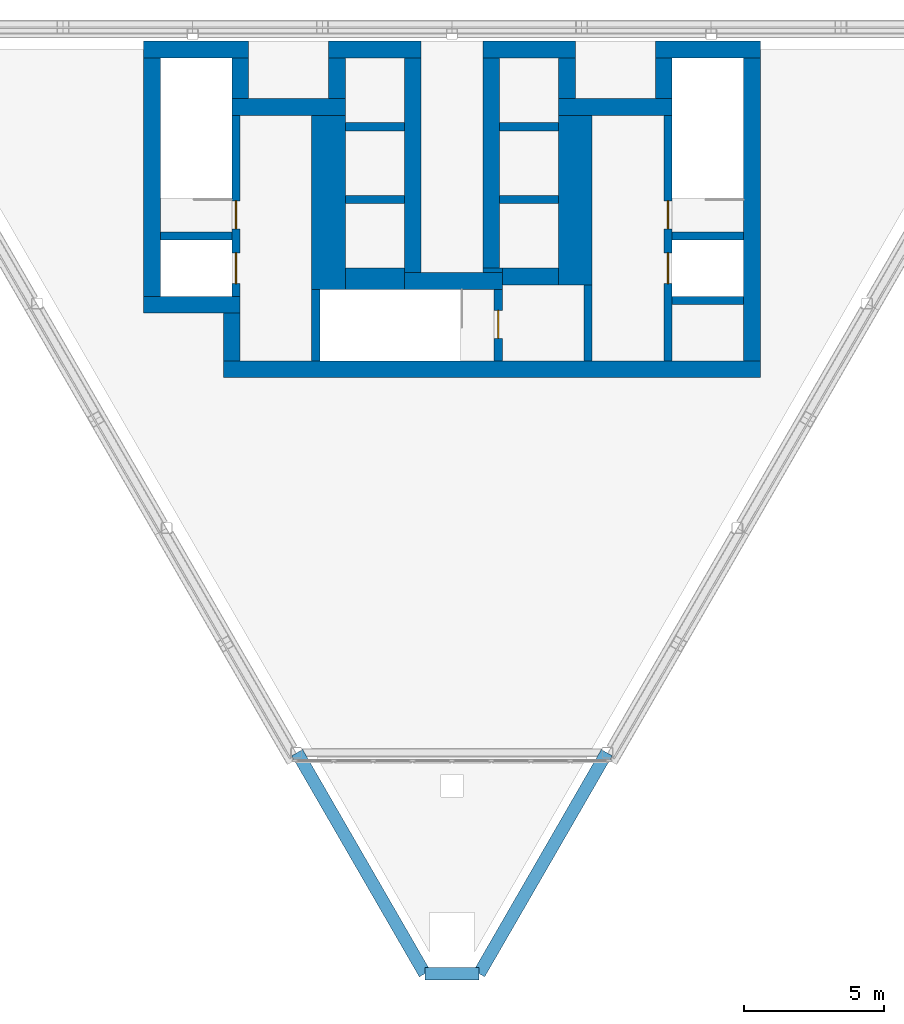
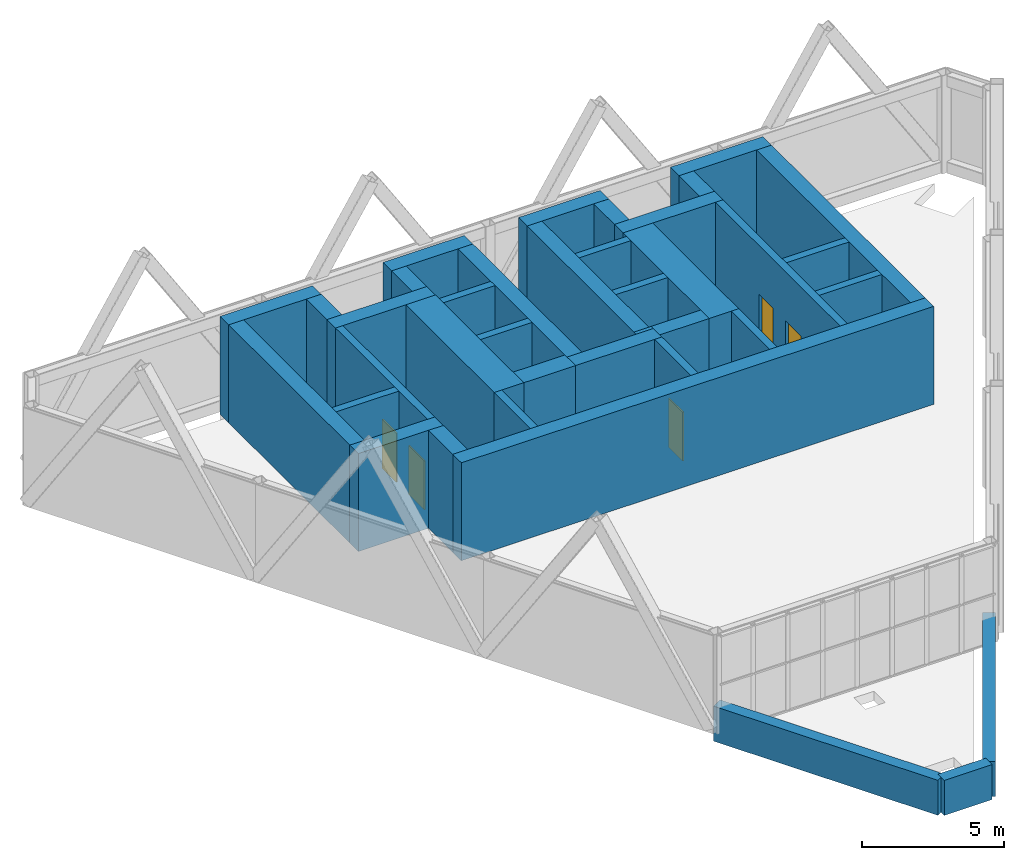
# One storey, part 4 of 5: 38 walls, 5 doors, 5 openings.
"""IFC4 building model written with IfcOpenShell, lengths in metres."""

from ifc_helpers import new_model, si_unit, direction, frame, frame_2d, origin, place, context, subcontext, project, spatial, rectangle, extrude, material, layer, layer_set, type_object, element, fill, save


model = new_model("IFC4")

# Units and contexts
model_context = context("Model", 3, precision=1e-05, world=origin(), true_north=direction((0.0, 1.0)))
body_context = subcontext(model_context, "Body", "Model", "MODEL_VIEW")
ifc_project = project(units=[si_unit("LENGTHUNIT", "METRE"), si_unit("AREAUNIT", "SQUARE_METRE"), si_unit("VOLUMEUNIT", "CUBIC_METRE"), si_unit("PLANEANGLEUNIT", "RADIAN"), si_unit("MASSUNIT", "GRAM", prefix="KILO")], contexts=[model_context])

# Site, building, storey
site_placement = place(None, origin())
site = spatial("IfcSite", under=ifc_project, at=site_placement, CompositionType="ELEMENT")
building_placement = place(site_placement, origin())
building = spatial("IfcBuilding", under=site, at=building_placement, Name="Aloe Facet Convention Tower", CompositionType="ELEMENT")
storey_placement = place(building_placement, frame((0.0, 0.0, 285.5)))
storey = spatial("IfcBuildingStorey", under=building, at=storey_placement, Name="C1", CompositionType="ELEMENT", Elevation=285.5)

# Walls
ifc_material_1 = material(Name="Concrete blockwork partition", Category="masonry")
ifc_layer_1 = layer(ifc_material_1, 0.14990234375)
ifc_layer_set_1 = layer_set([ifc_layer_1], Name="CR-W-PART150")
wall_type_1 = type_object("IfcWallType", Name="CR-W-PART150", PredefinedType="PARTITIONING", material=ifc_layer_set_1)
wall_1_placement = place(storey_placement, frame((81.10009765625, 126.375, 0.0), z_axis=(0.0, 0.0, 1.0), x_axis=(1.0, 0.0, 0.0)))
element("IfcWall", 1, at=wall_1_placement, inside=storey, type_object=wall_type_1, Name="Core partition C1-021", PredefinedType="PARTITIONING", context=body_context, shape_type="SweptSolid", body=[
    extrude(rectangle(XDim=0.699951171875, YDim=0.14990234375, at=frame_2d((0.35009765625, 0.0))), origin(), (0.0, 0.0, 1.0), 4.199951171875),
])
ifc_material_2 = material(Name="Concrete C50/60", Category="concrete")
ifc_layer_2 = layer(ifc_material_2, 1.199951171875)
ifc_layer_set_2 = layer_set([ifc_layer_2], Name="CR-W-RC1200-C5060")
wall_type_2 = type_object("IfcWallType", Name="CR-W-RC1200-C5060", PredefinedType="SOLIDWALL", material=ifc_layer_set_2)
wall_2_placement = place(storey_placement, frame((75.60009765625, 131.89990234375, 0.0), z_axis=(0.0, 0.0, 1.0), x_axis=(0.0, -1.0, 0.0)))
element("IfcWall", 2, at=wall_2_placement, inside=storey, type_object=wall_type_2, Name="Core wall C1-010", PredefinedType="SOLIDWALL", context=body_context, shape_type="SweptSolid", body=[
    extrude(rectangle(XDim=6.199951171875, YDim=1.199951171875, at=frame_2d((3.10009765625, 0.0))), origin(), (0.0, 0.0, 1.0), 4.199951171875),
])
wall_3_placement = place(storey_placement, frame((84.39990234375, 131.89990234375, 0.0), z_axis=(0.0, 0.0, 1.0), x_axis=(0.0, -1.0, 0.0)))
element("IfcWall", 3, at=wall_3_placement, inside=storey, type_object=wall_type_2, Name="Core wall C1-028", PredefinedType="SOLIDWALL", context=body_context, shape_type="SweptSolid", body=[
    extrude(rectangle(XDim=6.0498046875, YDim=1.199951171875, at=frame_2d((3.02490234375, 0.0))), origin(), (0.0, 0.0, 1.0), 4.199951171875),
])
ifc_material_3 = material(Name="Concrete C50/60", Category="concrete")
ifc_layer_3 = layer(ifc_material_3, 0.300048828125)
ifc_layer_set_3 = layer_set([ifc_layer_3], Name="CR-W-RC300-C5060")
wall_type_3 = type_object("IfcWallType", Name="CR-W-RC300-C5060", PredefinedType="SOLIDWALL", material=ifc_layer_set_3)
wall_4_placement = place(storey_placement, frame((69.60009765625, 127.60009765625, 0.0), z_axis=(0.0, 0.0, 1.0), x_axis=(1.0, 0.0, 0.0)))
element("IfcWall", 4, at=wall_4_placement, inside=storey, type_object=wall_type_3, Name="Core wall C1-004", PredefinedType="SOLIDWALL", context=body_context, shape_type="SweptSolid", body=[
    extrude(rectangle(XDim=2.5498046875, YDim=0.300048828125, at=frame_2d((1.27490234375, 0.0))), origin(), (0.0, 0.0, 1.0), 4.199951171875),
])

# Wall, openings, doors
wall_5_placement = place(storey_placement, frame((72.300048828125, 131.89990234375, 0.0), z_axis=(0.0, 0.0, 1.0), x_axis=(0.0, -1.0, 0.0)))
wall_5 = element("IfcWall", 5, at=wall_5_placement, inside=storey, type_object=wall_type_3, Name="Core wall C1-009", PredefinedType="SOLIDWALL", context=body_context, shape_type="SweptSolid", body=[
    extrude(rectangle(XDim=6.449951171875, YDim=0.300048828125, at=frame_2d((3.22509765625, 0.0))), origin(), (0.0, 0.0, 1.0), 4.199951171875),
])
opening_1_placement = place(wall_5_placement, frame((4.89990234375, 0.0, 0.0)))
opening_1 = element("IfcOpeningElement", 6, at=opening_1_placement, cuts=wall_5, Name="Opening LD-FF1-C1", PredefinedType="OPENING", context=body_context, shape_type="SweptSolid", body=[
    extrude(rectangle(XDim=1.10009765625, YDim=2.10009765625, at=frame_2d((0.550048828125, 1.050048828125))), frame((0.0, 0.16015625, 0.0), z_axis=(0.0, -1.0, 0.0), x_axis=(1.0, 0.0, 0.0)), (0.0, 0.0, 1.0), 0.320068359375),
])
opening_2_placement = place(wall_5_placement, frame((3.050048828125, 0.0, 0.0)))
opening_2 = element("IfcOpeningElement", 7, at=opening_2_placement, cuts=wall_5, Name="Opening C1-CD03", PredefinedType="OPENING", context=body_context, shape_type="SweptSolid", body=[
    extrude(rectangle(XDim=1.0, YDim=2.10009765625, at=frame_2d((0.5, 1.050048828125))), frame((0.0, 0.16015625, 0.0), z_axis=(0.0, -1.0, 0.0), x_axis=(1.0, 0.0, 0.0)), (0.0, 0.0, 1.0), 0.320068359375),
])
ifc_material_4 = material(Name="Steel fire-resisting door set FD120", Category="steel")
door_type_1 = type_object("IfcDoorType", Name="CR-D-STAIR-1000-FD120-SRIGHT", OperationType="SINGLE_SWING_RIGHT", PredefinedType="DOOR", material=ifc_material_4)
door_1_placement = place(opening_2_placement, origin())
door_1 = element("IfcDoor", 8, at=door_1_placement, inside=storey, type_object=door_type_1, Name="Core door C1-CD03", OperationType="SINGLE_SWING_RIGHT", OverallHeight=2.10009765625, OverallWidth=1.0, PredefinedType="DOOR", context=body_context, shape_type="SweptSolid", body=[
    extrude(rectangle(XDim=1.0, YDim=2.10009765625, at=frame_2d((0.5, 1.050048828125))), frame((0.0, 0.02490234375, 0.0), z_axis=(0.0, -1.0, 0.0), x_axis=(1.0, 0.0, 0.0)), (0.0, 0.0, 1.0), 0.050048828125),
])
fill(opening_2, door_1)
ifc_material_5 = material(Name="Stainless steel sliding landing door", Category="steel")
door_type_2 = type_object("IfcDoorType", Name="CR-LD-1100-FD120-_LEFT", OperationType="SLIDING_TO_LEFT", PredefinedType="DOOR", material=ifc_material_5)
door_2_placement = place(opening_1_placement, origin())
door_2 = element("IfcDoor", 9, at=door_2_placement, inside=storey, type_object=door_type_2, Name="Landing door FF1 C1", OperationType="SLIDING_TO_LEFT", OverallHeight=2.10009765625, OverallWidth=1.10009765625, PredefinedType="DOOR", context=body_context, shape_type="SweptSolid", body=[
    extrude(rectangle(XDim=1.10009765625, YDim=2.10009765625, at=frame_2d((0.550048828125, 1.050048828125))), frame((0.0, 0.02490234375, 0.0), z_axis=(0.0, -1.0, 0.0), x_axis=(1.0, 0.0, 0.0)), (0.0, 0.0, 1.0), 0.050048828125),
])
fill(opening_1, door_2)

# Walls
wall_6_placement = place(storey_placement, frame((75.14990234375, 125.699951171875, 0.0), z_axis=(0.0, 0.0, 1.0), x_axis=(0.0, -1.0, 0.0)))
element("IfcWall", 10, at=wall_6_placement, inside=storey, type_object=wall_type_3, Name="Core wall C1-011", PredefinedType="SOLIDWALL", context=body_context, shape_type="SweptSolid", body=[
    extrude(rectangle(XDim=2.550048828125, YDim=0.300048828125, at=frame_2d((1.27490234375, 0.0))), origin(), (0.0, 0.0, 1.0), 4.199951171875),
])
for number, where, z_axis, x_axis, name in (
    (11, (76.199951171875, 131.5, 0.0), (0.0, 0.0, 1.0), (1.0, 0.0, 0.0), "Core wall C1-014"),
    (12, (76.199951171875, 128.89990234375, 0.0), (0.0, 0.0, 1.0), (1.0, 0.0, 0.0), "Core wall C1-015"),
):
    element("IfcWall", number, at=place(storey_placement, frame(where, z_axis=z_axis, x_axis=x_axis)), inside=storey, type_object=wall_type_3, Name=name, PredefinedType="SOLIDWALL", context=body_context, shape_type="SweptSolid", body=[
        extrude(rectangle(XDim=2.10009765625, YDim=0.300048828125, at=frame_2d((1.050048828125, 0.0))), origin(), (0.0, 0.0, 1.0), 4.199951171875),
    ])

# Wall, opening, door
wall_7_placement = place(storey_placement, frame((81.64990234375, 125.699951171875, 0.0), z_axis=(0.0, 0.0, 1.0), x_axis=(0.0, -1.0, 0.0)))
wall_7 = element("IfcWall", 13, at=wall_7_placement, inside=storey, type_object=wall_type_3, Name="Core wall C1-022", PredefinedType="SOLIDWALL", context=body_context, shape_type="SweptSolid", body=[
    extrude(rectangle(XDim=2.550048828125, YDim=0.300048828125, at=frame_2d((1.27490234375, 0.0))), origin(), (0.0, 0.0, 1.0), 4.199951171875),
])
opening_3_placement = place(wall_7_placement, frame((0.75, 0.0, 0.0)))
opening_3 = element("IfcOpeningElement", 14, at=opening_3_placement, cuts=wall_7, Name="Opening C1-CD05", PredefinedType="OPENING", context=body_context, shape_type="SweptSolid", body=[
    extrude(rectangle(XDim=1.0, YDim=2.10009765625, at=frame_2d((0.5, 1.050048828125))), frame((0.0, 0.16015625, 0.0), z_axis=(0.0, -1.0, 0.0), x_axis=(1.0, 0.0, 0.0)), (0.0, 0.0, 1.0), 0.320068359375),
])
ifc_material_6 = material(Name="Steel fire-resisting door set FD120", Category="steel")
door_type_3 = type_object("IfcDoorType", Name="CR-D-STAIR-1000-FD120-SLEFT", OperationType="SINGLE_SWING_LEFT", PredefinedType="DOOR", material=ifc_material_6)
door_3_placement = place(opening_3_placement, origin())
door_3 = element("IfcDoor", 15, at=door_3_placement, inside=storey, type_object=door_type_3, Name="Core door C1-CD05", OperationType="SINGLE_SWING_LEFT", OverallHeight=2.10009765625, OverallWidth=1.0, PredefinedType="DOOR", context=body_context, shape_type="SweptSolid", body=[
    extrude(rectangle(XDim=1.0, YDim=2.10009765625, at=frame_2d((0.5, 1.050048828125))), frame((0.0, 0.02490234375, 0.0), z_axis=(0.0, -1.0, 0.0), x_axis=(1.0, 0.0, 0.0)), (0.0, 0.0, 1.0), 0.050048828125),
])
fill(opening_3, door_3)

# Walls
for number, where, z_axis, x_axis, name in (
    (16, (81.699951171875, 131.5, 0.0), (0.0, 0.0, 1.0), (1.0, 0.0, 0.0), "Core wall C1-023"),
    (17, (81.699951171875, 128.89990234375, 0.0), (0.0, 0.0, 1.0), (1.0, 0.0, 0.0), "Core wall C1-024"),
):
    element("IfcWall", number, at=place(storey_placement, frame(where, z_axis=z_axis, x_axis=x_axis)), inside=storey, type_object=wall_type_3, Name=name, PredefinedType="SOLIDWALL", context=body_context, shape_type="SweptSolid", body=[
        extrude(rectangle(XDim=2.10009765625, YDim=0.300048828125, at=frame_2d((1.050048828125, 0.0))), origin(), (0.0, 0.0, 1.0), 4.199951171875),
    ])
wall_8_placement = place(storey_placement, frame((84.85009765625, 125.85009765625, 0.0), z_axis=(0.0, 0.0, 1.0), x_axis=(0.0, -1.0, 0.0)))
element("IfcWall", 18, at=wall_8_placement, inside=storey, type_object=wall_type_3, Name="Core wall C1-029", PredefinedType="SOLIDWALL", context=body_context, shape_type="SweptSolid", body=[
    extrude(rectangle(XDim=2.7001953125, YDim=0.300048828125, at=frame_2d((1.35009765625, 0.0))), origin(), (0.0, 0.0, 1.0), 4.199951171875),
])

# Wall, openings, doors
wall_9_placement = place(storey_placement, frame((87.699951171875, 131.89990234375, 0.0), z_axis=(0.0, 0.0, 1.0), x_axis=(0.0, -1.0, 0.0)))
wall_9 = element("IfcWall", 19, at=wall_9_placement, inside=storey, type_object=wall_type_3, Name="Core wall C1-032", PredefinedType="SOLIDWALL", context=body_context, shape_type="SweptSolid", body=[
    extrude(rectangle(XDim=8.75, YDim=0.300048828125, at=frame_2d((4.375, 0.0))), origin(), (0.0, 0.0, 1.0), 4.199951171875),
])
opening_4_placement = place(wall_9_placement, frame((4.89990234375, 0.0, 0.0)))
opening_4 = element("IfcOpeningElement", 20, at=opening_4_placement, cuts=wall_9, Name="Opening LD-FF2-C1", PredefinedType="OPENING", context=body_context, shape_type="SweptSolid", body=[
    extrude(rectangle(XDim=1.10009765625, YDim=2.10009765625, at=frame_2d((0.550048828125, 1.050048828125))), frame((0.0, 0.16015625, 0.0), z_axis=(0.0, -1.0, 0.0), x_axis=(1.0, 0.0, 0.0)), (0.0, 0.0, 1.0), 0.320068359375),
])
opening_5_placement = place(wall_9_placement, frame((3.050048828125, 0.0, 0.0)))
opening_5 = element("IfcOpeningElement", 21, at=opening_5_placement, cuts=wall_9, Name="Opening C1-CD04", PredefinedType="OPENING", context=body_context, shape_type="SweptSolid", body=[
    extrude(rectangle(XDim=1.0, YDim=2.10009765625, at=frame_2d((0.5, 1.050048828125))), frame((0.0, 0.16015625, 0.0), z_axis=(0.0, -1.0, 0.0), x_axis=(1.0, 0.0, 0.0)), (0.0, 0.0, 1.0), 0.320068359375),
])
door_4_placement = place(opening_5_placement, origin())
door_4 = element("IfcDoor", 22, at=door_4_placement, inside=storey, type_object=door_type_3, Name="Core door C1-CD04", OperationType="SINGLE_SWING_LEFT", OverallHeight=2.10009765625, OverallWidth=1.0, PredefinedType="DOOR", context=body_context, shape_type="SweptSolid", body=[
    extrude(rectangle(XDim=1.0, YDim=2.10009765625, at=frame_2d((0.5, 1.050048828125))), frame((0.0, 0.02490234375, 0.0), z_axis=(0.0, -1.0, 0.0), x_axis=(1.0, 0.0, 0.0)), (0.0, 0.0, 1.0), 0.050048828125),
])
fill(opening_5, door_4)
door_5_placement = place(opening_4_placement, origin())
door_5 = element("IfcDoor", 23, at=door_5_placement, inside=storey, type_object=door_type_2, Name="Landing door FF2 C1", OperationType="SLIDING_TO_LEFT", OverallHeight=2.10009765625, OverallWidth=1.10009765625, PredefinedType="DOOR", context=body_context, shape_type="SweptSolid", body=[
    extrude(rectangle(XDim=1.10009765625, YDim=2.10009765625, at=frame_2d((0.550048828125, 1.050048828125))), frame((0.0, 0.02490234375, 0.0), z_axis=(0.0, -1.0, 0.0), x_axis=(1.0, 0.0, 0.0)), (0.0, 0.0, 1.0), 0.050048828125),
])
fill(opening_4, door_5)

# Walls
for number, where, z_axis, x_axis, name in (
    (24, (87.85009765625, 127.60009765625, 0.0), (0.0, 0.0, 1.0), (1.0, 0.0, 0.0), "Core wall C1-033"),
    (25, (87.85009765625, 125.300048828125, 0.0), (0.0, 0.0, 1.0), (1.0, 0.0, 0.0), "Core wall C1-034"),
):
    element("IfcWall", number, at=place(storey_placement, frame(where, z_axis=z_axis, x_axis=x_axis)), inside=storey, type_object=wall_type_3, Name=name, PredefinedType="SOLIDWALL", context=body_context, shape_type="SweptSolid", body=[
        extrude(rectangle(XDim=2.5498046875, YDim=0.300048828125, at=frame_2d((1.27490234375, 0.0))), origin(), (0.0, 0.0, 1.0), 4.199951171875),
    ])
ifc_material_7 = material(Name="Concrete C50/60", Category="concrete")
ifc_layer_4 = layer(ifc_material_7, 0.60009765625)
ifc_layer_set_4 = layer_set([ifc_layer_4], Name="CR-W-RC600-C5060")
wall_type_4 = type_object("IfcWallType", Name="CR-W-RC600-C5060", PredefinedType="SOLIDWALL", material=ifc_layer_set_4)
wall_10_placement = place(storey_placement, frame((69.0, 134.25, 0.0), z_axis=(0.0, 0.0, 1.0), x_axis=(1.0, 0.0, 0.0)))
element("IfcWall", 26, at=wall_10_placement, inside=storey, type_object=wall_type_4, Name="Core wall C1-001", PredefinedType="SOLIDWALL", context=body_context, shape_type="SweptSolid", body=[
    extrude(rectangle(XDim=3.75, YDim=0.60009765625, at=frame_2d((1.875, 0.0))), origin(), (0.0, 0.0, 1.0), 4.199951171875),
])
wall_11_placement = place(storey_placement, frame((69.300048828125, 133.949951171875, 0.0), z_axis=(0.0, 0.0, 1.0), x_axis=(0.0, -1.0, 0.0)))
element("IfcWall", 27, at=wall_11_placement, inside=storey, type_object=wall_type_4, Name="Core wall C1-002", PredefinedType="SOLIDWALL", context=body_context, shape_type="SweptSolid", body=[
    extrude(rectangle(XDim=8.5, YDim=0.60009765625, at=frame_2d((4.25, 0.0))), origin(), (0.0, 0.0, 1.0), 4.199951171875),
])
wall_12_placement = place(storey_placement, frame((69.0, 125.14990234375, 0.0), z_axis=(0.0, 0.0, 1.0), x_axis=(1.0, 0.0, 0.0)))
element("IfcWall", 28, at=wall_12_placement, inside=storey, type_object=wall_type_4, Name="Core wall C1-003", PredefinedType="SOLIDWALL", context=body_context, shape_type="SweptSolid", body=[
    extrude(rectangle(XDim=3.449951171875, YDim=0.60009765625, at=frame_2d((1.72509765625, 0.0))), origin(), (0.0, 0.0, 1.0), 4.199951171875),
])
wall_13_placement = place(storey_placement, frame((72.14990234375, 124.85009765625, 0.0), z_axis=(0.0, 0.0, 1.0), x_axis=(0.0, -1.0, 0.0)))
element("IfcWall", 29, at=wall_13_placement, inside=storey, type_object=wall_type_4, Name="Core wall C1-005", PredefinedType="SOLIDWALL", context=body_context, shape_type="SweptSolid", body=[
    extrude(rectangle(XDim=1.7001953125, YDim=0.60009765625, at=frame_2d((0.85009765625, 0.0))), origin(), (0.0, 0.0, 1.0), 4.199951171875),
])
wall_14_placement = place(storey_placement, frame((71.85009765625, 122.85009765625, 0.0), z_axis=(0.0, 0.0, 1.0), x_axis=(1.0, 0.0, 0.0)))
element("IfcWall", 30, at=wall_14_placement, inside=storey, type_object=wall_type_4, Name="Core wall C1-006", PredefinedType="SOLIDWALL", context=body_context, shape_type="SweptSolid", body=[
    extrude(rectangle(XDim=19.14990234375, YDim=0.60009765625, at=frame_2d((9.574951171875, 0.0))), origin(), (0.0, 0.0, 1.0), 4.199951171875),
])
wall_15_placement = place(storey_placement, frame((72.449951171875, 133.949951171875, 0.0), z_axis=(0.0, 0.0, 1.0), x_axis=(0.0, -1.0, 0.0)))
element("IfcWall", 31, at=wall_15_placement, inside=storey, type_object=wall_type_4, Name="Core wall C1-007", PredefinedType="SOLIDWALL", context=body_context, shape_type="SweptSolid", body=[
    extrude(rectangle(XDim=1.449951171875, YDim=0.60009765625, at=frame_2d((0.72509765625, 0.0))), origin(), (0.0, 0.0, 1.0), 4.199951171875),
])
wall_16_placement = place(storey_placement, frame((72.14990234375, 132.199951171875, 0.0), z_axis=(0.0, 0.0, 1.0), x_axis=(1.0, 0.0, 0.0)))
element("IfcWall", 32, at=wall_16_placement, inside=storey, type_object=wall_type_4, Name="Core wall C1-008", PredefinedType="SOLIDWALL", context=body_context, shape_type="SweptSolid", body=[
    extrude(rectangle(XDim=4.050048828125, YDim=0.60009765625, at=frame_2d((2.02490234375, 0.0))), origin(), (0.0, 0.0, 1.0), 4.199951171875),
])
wall_17_placement = place(storey_placement, frame((75.60009765625, 134.25, 0.0), z_axis=(0.0, 0.0, 1.0), x_axis=(1.0, 0.0, 0.0)))
element("IfcWall", 33, at=wall_17_placement, inside=storey, type_object=wall_type_4, Name="Core wall C1-012", PredefinedType="SOLIDWALL", context=body_context, shape_type="SweptSolid", body=[
    extrude(rectangle(XDim=3.2998046875, YDim=0.60009765625, at=frame_2d((1.64990234375, 0.0))), origin(), (0.0, 0.0, 1.0), 4.199951171875),
])
wall_18_placement = place(storey_placement, frame((75.89990234375, 133.949951171875, 0.0), z_axis=(0.0, 0.0, 1.0), x_axis=(0.0, -1.0, 0.0)))
element("IfcWall", 34, at=wall_18_placement, inside=storey, type_object=wall_type_4, Name="Core wall C1-013", PredefinedType="SOLIDWALL", context=body_context, shape_type="SweptSolid", body=[
    extrude(rectangle(XDim=1.449951171875, YDim=0.60009765625, at=frame_2d((0.72509765625, 0.0))), origin(), (0.0, 0.0, 1.0), 4.199951171875),
])
wall_19_placement = place(storey_placement, frame((78.60009765625, 133.949951171875, 0.0), z_axis=(0.0, 0.0, 1.0), x_axis=(0.0, -1.0, 0.0)))
element("IfcWall", 35, at=wall_19_placement, inside=storey, type_object=wall_type_4, Name="Core wall C1-017", PredefinedType="SOLIDWALL", context=body_context, shape_type="SweptSolid", body=[
    extrude(rectangle(XDim=7.64990234375, YDim=0.60009765625, at=frame_2d((3.824951171875, 0.0))), origin(), (0.0, 0.0, 1.0), 4.199951171875),
])
wall_20_placement = place(storey_placement, frame((78.300048828125, 126.0, 0.0), z_axis=(0.0, 0.0, 1.0), x_axis=(1.0, 0.0, 0.0)))
element("IfcWall", 36, at=wall_20_placement, inside=storey, type_object=wall_type_4, Name="Core wall C1-018", PredefinedType="SOLIDWALL", context=body_context, shape_type="SweptSolid", body=[
    extrude(rectangle(XDim=3.5, YDim=0.60009765625, at=frame_2d((1.75, 0.0))), origin(), (0.0, 0.0, 1.0), 4.199951171875),
])
wall_21_placement = place(storey_placement, frame((81.10009765625, 134.25, 0.0), z_axis=(0.0, 0.0, 1.0), x_axis=(1.0, 0.0, 0.0)))
element("IfcWall", 37, at=wall_21_placement, inside=storey, type_object=wall_type_4, Name="Core wall C1-019", PredefinedType="SOLIDWALL", context=body_context, shape_type="SweptSolid", body=[
    extrude(rectangle(XDim=3.2998046875, YDim=0.60009765625, at=frame_2d((1.64990234375, 0.0))), origin(), (0.0, 0.0, 1.0), 4.199951171875),
])
wall_22_placement = place(storey_placement, frame((81.39990234375, 133.949951171875, 0.0), z_axis=(0.0, 0.0, 1.0), x_axis=(0.0, -1.0, 0.0)))
element("IfcWall", 38, at=wall_22_placement, inside=storey, type_object=wall_type_4, Name="Core wall C1-020", PredefinedType="SOLIDWALL", context=body_context, shape_type="SweptSolid", body=[
    extrude(rectangle(XDim=7.64990234375, YDim=0.60009765625, at=frame_2d((3.824951171875, 0.0))), origin(), (0.0, 0.0, 1.0), 4.199951171875),
])
wall_23_placement = place(storey_placement, frame((81.800048828125, 126.14990234375, 0.0), z_axis=(0.0, 0.0, 1.0), x_axis=(1.0, 0.0, 0.0)))
element("IfcWall", 39, at=wall_23_placement, inside=storey, type_object=wall_type_4, Name="Core wall C1-025", PredefinedType="SOLIDWALL", context=body_context, shape_type="SweptSolid", body=[
    extrude(rectangle(XDim=2.0, YDim=0.60009765625, at=frame_2d((1.0, 0.0))), origin(), (0.0, 0.0, 1.0), 4.199951171875),
])
wall_24_placement = place(storey_placement, frame((84.10009765625, 133.949951171875, 0.0), z_axis=(0.0, 0.0, 1.0), x_axis=(0.0, -1.0, 0.0)))
element("IfcWall", 40, at=wall_24_placement, inside=storey, type_object=wall_type_4, Name="Core wall C1-026", PredefinedType="SOLIDWALL", context=body_context, shape_type="SweptSolid", body=[
    extrude(rectangle(XDim=1.449951171875, YDim=0.60009765625, at=frame_2d((0.72509765625, 0.0))), origin(), (0.0, 0.0, 1.0), 4.199951171875),
])
wall_25_placement = place(storey_placement, frame((83.800048828125, 132.199951171875, 0.0), z_axis=(0.0, 0.0, 1.0), x_axis=(1.0, 0.0, 0.0)))
element("IfcWall", 41, at=wall_25_placement, inside=storey, type_object=wall_type_4, Name="Core wall C1-027", PredefinedType="SOLIDWALL", context=body_context, shape_type="SweptSolid", body=[
    extrude(rectangle(XDim=4.050048828125, YDim=0.60009765625, at=frame_2d((2.02490234375, 0.0))), origin(), (0.0, 0.0, 1.0), 4.199951171875),
])
wall_26_placement = place(storey_placement, frame((87.25, 134.25, 0.0), z_axis=(0.0, 0.0, 1.0), x_axis=(1.0, 0.0, 0.0)))
element("IfcWall", 42, at=wall_26_placement, inside=storey, type_object=wall_type_4, Name="Core wall C1-030", PredefinedType="SOLIDWALL", context=body_context, shape_type="SweptSolid", body=[
    extrude(rectangle(XDim=3.75, YDim=0.60009765625, at=frame_2d((1.875, 0.0))), origin(), (0.0, 0.0, 1.0), 4.199951171875),
])
wall_27_placement = place(storey_placement, frame((87.550048828125, 133.949951171875, 0.0), z_axis=(0.0, 0.0, 1.0), x_axis=(0.0, -1.0, 0.0)))
element("IfcWall", 43, at=wall_27_placement, inside=storey, type_object=wall_type_4, Name="Core wall C1-031", PredefinedType="SOLIDWALL", context=body_context, shape_type="SweptSolid", body=[
    extrude(rectangle(XDim=1.449951171875, YDim=0.60009765625, at=frame_2d((0.72509765625, 0.0))), origin(), (0.0, 0.0, 1.0), 4.199951171875),
])
wall_28_placement = place(storey_placement, frame((90.699951171875, 133.949951171875, 0.0), z_axis=(0.0, 0.0, 1.0), x_axis=(0.0, -1.0, 0.0)))
element("IfcWall", 44, at=wall_28_placement, inside=storey, type_object=wall_type_4, Name="Core wall C1-035", PredefinedType="SOLIDWALL", context=body_context, shape_type="SweptSolid", body=[
    extrude(rectangle(XDim=10.800048828125, YDim=0.60009765625, at=frame_2d((5.39990234375, 0.0))), origin(), (0.0, 0.0, 1.0), 4.199951171875),
])
ifc_material_8 = material(Name="Concrete C50/60", Category="concrete")
ifc_layer_5 = layer(ifc_material_8, 0.75)
ifc_layer_set_5 = layer_set([ifc_layer_5], Name="CR-W-RC750-C5060")
wall_type_5 = type_object("IfcWallType", Name="CR-W-RC750-C5060", PredefinedType="SOLIDWALL", material=ifc_layer_set_5)
wall_29_placement = place(storey_placement, frame((76.199951171875, 126.074951171875, 0.0), z_axis=(0.0, 0.0, 1.0), x_axis=(1.0, 0.0, 0.0)))
element("IfcWall", 45, at=wall_29_placement, inside=storey, type_object=wall_type_5, Name="Core wall C1-016", PredefinedType="SOLIDWALL", context=body_context, shape_type="SweptSolid", body=[
    extrude(rectangle(XDim=2.10009765625, YDim=0.75, at=frame_2d((1.050048828125, 0.0))), origin(), (0.0, 0.0, 1.0), 4.199951171875),
])
ifc_material_9 = material(Name="Precast concrete C40/50", Category="concrete")
ifc_layer_6 = layer(ifc_material_9, 0.449951171875)
ifc_layer_set_6 = layer_set([ifc_layer_6], Name="EV-WALL-PARAPET")
wall_type_6 = type_object("IfcWallType", Name="EV-WALL-PARAPET", PredefinedType="PARAPET", material=ifc_layer_set_6)
wall_30_placement = place(storey_placement, frame((85.51953125, 109.180419921875, -0.39990234375), z_axis=(0.0, 0.0, 1.0), x_axis=(-0.500000403736, -0.866025170687, 0.0)))
element("IfcWall", 46, at=wall_30_placement, inside=storey, type_object=wall_type_6, Name="ROOF PARAPET 01", PredefinedType="PARAPET", context=body_context, shape_type="SweptSolid", body=[
    extrude(rectangle(XDim=9.0986328125, YDim=0.449951171875, at=frame_2d((4.54931640625, 0.0))), origin(), (0.0, 0.0, 1.0), 1.5),
])
wall_31_placement = place(storey_placement, frame((80.97021484375, 101.30078125, -0.39990234375), z_axis=(0.0, 0.0, 1.0), x_axis=(-1.0, 0.0, 0.0)))
element("IfcWall", 47, at=wall_31_placement, inside=storey, type_object=wall_type_6, Name="ROOF PARAPET 02", PredefinedType="PARAPET", context=body_context, shape_type="SweptSolid", body=[
    extrude(rectangle(XDim=1.9404296875, YDim=0.449951171875, at=frame_2d((0.97021484375, 0.0))), origin(), (0.0, 0.0, 1.0), 1.5),
])
wall_32_placement = place(storey_placement, frame((79.02978515625, 101.30078125, -0.39990234375), z_axis=(0.0, 0.0, 1.0), x_axis=(-0.500000403736, 0.866025170687, 0.0)))
element("IfcWall", 48, at=wall_32_placement, inside=storey, type_object=wall_type_6, Name="ROOF PARAPET 03", PredefinedType="PARAPET", context=body_context, shape_type="SweptSolid", body=[
    extrude(rectangle(XDim=9.0986328125, YDim=0.449951171875, at=frame_2d((4.54931640625, 0.0))), origin(), (0.0, 0.0, 1.0), 1.5),
])

save(model, "model.ifc")
